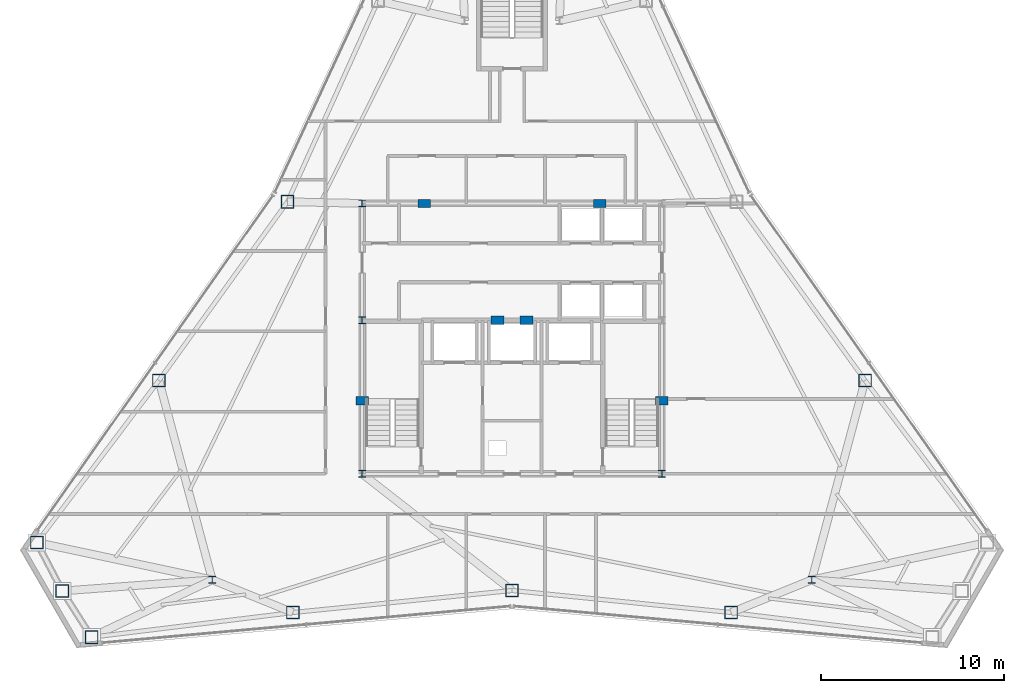
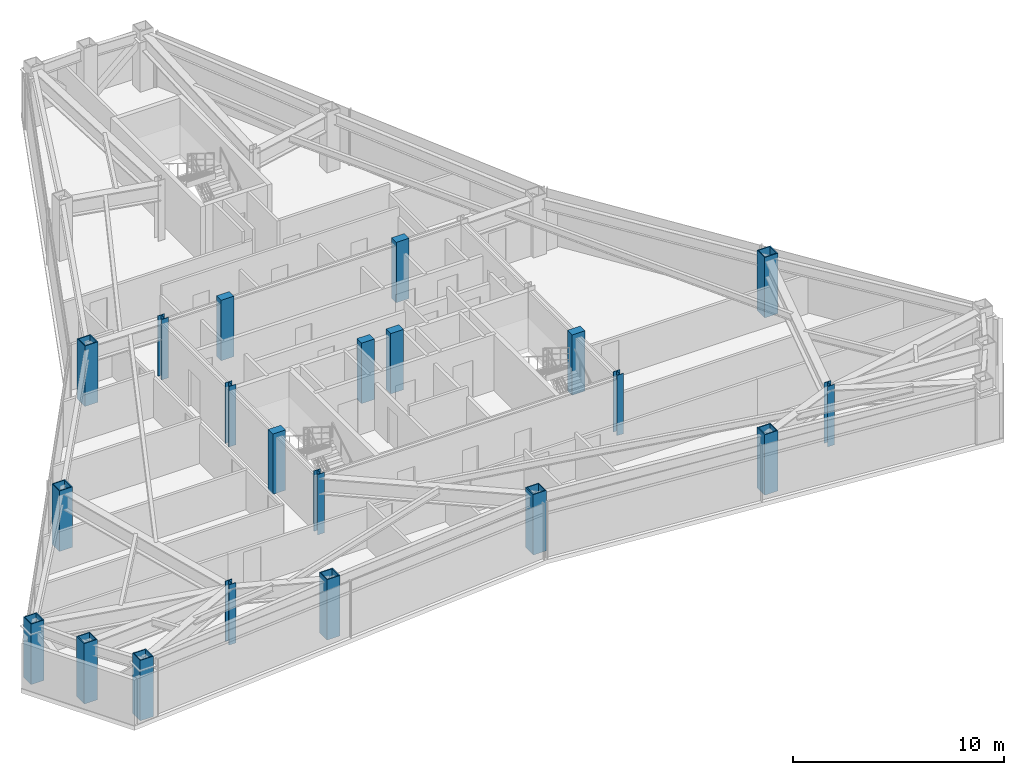
# One storey, part 1 of 12: 21 columns.
"""IFC4 building model written with IfcOpenShell, lengths in metres."""

from ifc_helpers import new_model, si_unit, direction, frame, origin, origin_2d, place, context, subcontext, project, spatial, rectangle, hollow_rectangle, i_section, extrude, material, material_profile, profile_set, type_object, element, save


model = new_model("IFC4")

# Units and contexts
model_context = context("Model", 3, precision=1e-05, world=origin(), true_north=direction((0.0, 1.0)))
body_context = subcontext(model_context, "Body", "Model", "MODEL_VIEW")
ifc_project = project(units=[si_unit("LENGTHUNIT", "METRE"), si_unit("AREAUNIT", "SQUARE_METRE"), si_unit("VOLUMEUNIT", "CUBIC_METRE"), si_unit("PLANEANGLEUNIT", "RADIAN"), si_unit("MASSUNIT", "GRAM", prefix="KILO")], contexts=[model_context])

# Site, building, storey
site_placement = place(None, origin())
site = spatial("IfcSite", under=ifc_project, at=site_placement, CompositionType="ELEMENT")
building_placement = place(site_placement, origin())
building = spatial("IfcBuilding", under=site, at=building_placement, Name="Varakhsha Concourse Tower", CompositionType="ELEMENT")
storey_placement = place(building_placement, frame((0.0, 0.0, 236.39990234375)))
storey = spatial("IfcBuildingStorey", under=building, at=storey_placement, Name="L67", CompositionType="ELEMENT", Elevation=236.39990234375)

# Columns
ifc_material_1 = material(Name="Structural Steel ASTM A992 Grade 50", Category="steel")
ifc_material_profile_1 = material_profile(ifc_material_1, i_section(OverallWidth=0.3740234375, OverallDepth=0.3720703125, WebThickness=0.01611328125, FlangeThickness=0.02587890625, at=origin_2d()), Name="W14X132")
ifc_profile_set_1 = profile_set([ifc_material_profile_1], Name="Structural Steel ASTM A992 Grade 50")
column_type_1 = type_object("IfcColumnType", Name="CL-CORE-W14X132", PredefinedType="COLUMN", material=ifc_profile_set_1)
for number, where, z_axis, x_axis, name in (
    (1, (31.800048828125, 16.39990234375, 0.0), (0.0, 0.0, 1.0), (1.0, 0.0, 0.0), "L67 Core Column CC-SW"),
    (2, (48.199951171875, 16.39990234375, 0.0), (0.0, 0.0, 1.0), (1.0, 0.0, 0.0), "L67 Core Column CC-SE"),
    (3, (31.800048828125, 24.800048828125, 0.0), (0.0, 0.0, 1.0), (1.0, 0.0, 0.0), "L67 Core Column CC-MW"),
    (4, (31.800048828125, 31.199951171875, 0.0), (0.0, 0.0, 1.0), (1.0, 0.0, 0.0), "L67 Core Column CC-NW"),
    (5, (23.60009765625, 10.60009765625, 0.0), (0.0, 0.0, 1.0), (1.0, 0.0, 0.0), "L67 Core Column SS-W"),
    (6, (56.39990234375, 10.60009765625, 0.0), (0.0, 0.0, 1.0), (1.0, 0.0, 0.0), "L67 Core Column SS-E"),
):
    element("IfcColumn", number, at=place(storey_placement, frame(where, z_axis=z_axis, x_axis=x_axis)), inside=storey, type_object=column_type_1, Name=name, PredefinedType="COLUMN", context=body_context, shape_type="SweptSolid", body=[
        extrude(i_section(OverallWidth=0.3740234375, OverallDepth=0.3720703125, WebThickness=0.01611328125, FlangeThickness=0.02587890625, at=origin_2d()), origin(), (0.0, 0.0, 1.0), 3.5),
    ])
ifc_material_2 = material(Name="Concrete fc 65 MPa", Category="concrete")
ifc_material_profile_2 = material_profile(ifc_material_2, rectangle(XDim=0.699951171875, YDim=0.449951171875, at=origin_2d()), Name="RC 700x450")
ifc_profile_set_2 = profile_set([ifc_material_profile_2], Name="Concrete fc 65 MPa")
column_type_2 = type_object("IfcColumnType", Name="CL-PIL-700X450", PredefinedType="PILASTER", material=ifc_profile_set_2)
for number, where, z_axis, x_axis, name in (
    (7, (31.800048828125, 20.39990234375, 0.0), (0.0, 0.0, 1.0), (1.0, 0.0, 0.0), "L67 Core Boundary Pilaster PIL-W1"),
    (8, (48.199951171875, 20.39990234375, 0.0), (0.0, 0.0, 1.0), (1.0, 0.0, 0.0), "L67 Core Boundary Pilaster PIL-E1"),
    (9, (35.199951171875, 31.199951171875, 0.0), (0.0, 0.0, 1.0), (1.0, 0.0, 0.0), "L67 Core Boundary Pilaster PIL-N1"),
    (10, (44.800048828125, 31.199951171875, 0.0), (0.0, 0.0, 1.0), (1.0, 0.0, 0.0), "L67 Core Boundary Pilaster PIL-N2"),
    (11, (39.199951171875, 24.800048828125, 0.0), (0.0, 0.0, 1.0), (1.0, 0.0, 0.0), "L67 Core Boundary Pilaster PIL-M1"),
    (12, (40.800048828125, 24.800048828125, 0.0), (0.0, 0.0, 1.0), (1.0, 0.0, 0.0), "L67 Core Boundary Pilaster PIL-M2"),
):
    element("IfcColumn", number, at=place(storey_placement, frame(where, z_axis=z_axis, x_axis=x_axis)), inside=storey, type_object=column_type_2, Name=name, PredefinedType="PILASTER", context=body_context, shape_type="SweptSolid", body=[
        extrude(rectangle(XDim=0.699951171875, YDim=0.449951171875, at=origin_2d()), origin(), (0.0, 0.0, 1.0), 3.5),
    ])
ifc_material_3 = material(Name="Structural Steel ASTM A572 Grade 50", Category="steel")
ifc_material_profile_3 = material_profile(ifc_material_3, hollow_rectangle(XDim=0.719970703125, YDim=0.719970703125, WallThickness=0.050048828125, at=origin_2d()), Name="BOX 720x720x50")
ifc_profile_set_3 = profile_set([ifc_material_profile_3], Name="Structural Steel ASTM A572 Grade 50")
column_type_3 = type_object("IfcColumnType", Name="CL-TUBE-720", PredefinedType="COLUMN", material=ifc_profile_set_3)
for number, where, z_axis, x_axis, name in (
    (13, (27.7177734375, 31.291259765625, 0.0), (0.0, 0.0, 1.0), (1.0, 0.0, 0.0), "L67 Framed-Tube Column TC05"),
    (14, (20.67919921875, 21.51025390625, 0.0), (0.0, 0.0, 1.0), (1.0, 0.0, 0.0), "L67 Framed-Tube Column TC06"),
    (15, (14.002685546875, 12.64697265625, 0.0), (0.0, 0.0, 1.0), (1.0, 0.0, 0.0), "L67 Framed-Tube Column TC07"),
    (16, (15.389892578125, 9.9912109375, 0.0), (0.0, 0.0, 1.0), (1.0, 0.0, 0.0), "L67 Framed-Tube Column TC08"),
    (17, (16.99609375, 7.4619140625, 0.0), (0.0, 0.0, 1.0), (1.0, 0.0, 0.0), "L67 Framed-Tube Column TC09"),
    (18, (28.01025390625, 8.8125, 0.0), (0.0, 0.0, 1.0), (1.0, 0.0, 0.0), "L67 Framed-Tube Column TC10"),
    (19, (40.0, 10.017578125, 0.0), (0.0, 0.0, 1.0), (1.0, 0.0, 0.0), "L67 Framed-Tube Column TC11"),
    (20, (51.98974609375, 8.8125, 0.0), (0.0, 0.0, 1.0), (1.0, 0.0, 0.0), "L67 Framed-Tube Column TC12"),
    (21, (59.32080078125, 21.51025390625, 0.0), (0.0, 0.0, 1.0), (1.0, 0.0, 0.0), "L67 Framed-Tube Column TC16"),
):
    element("IfcColumn", number, at=place(storey_placement, frame(where, z_axis=z_axis, x_axis=x_axis)), inside=storey, type_object=column_type_3, Name=name, PredefinedType="COLUMN", context=body_context, shape_type="SweptSolid", body=[
        extrude(hollow_rectangle(XDim=0.719970703125, YDim=0.719970703125, WallThickness=0.050048828125, at=origin_2d()), origin(), (0.0, 0.0, 1.0), 3.5),
    ])

save(model, "model.ifc")
